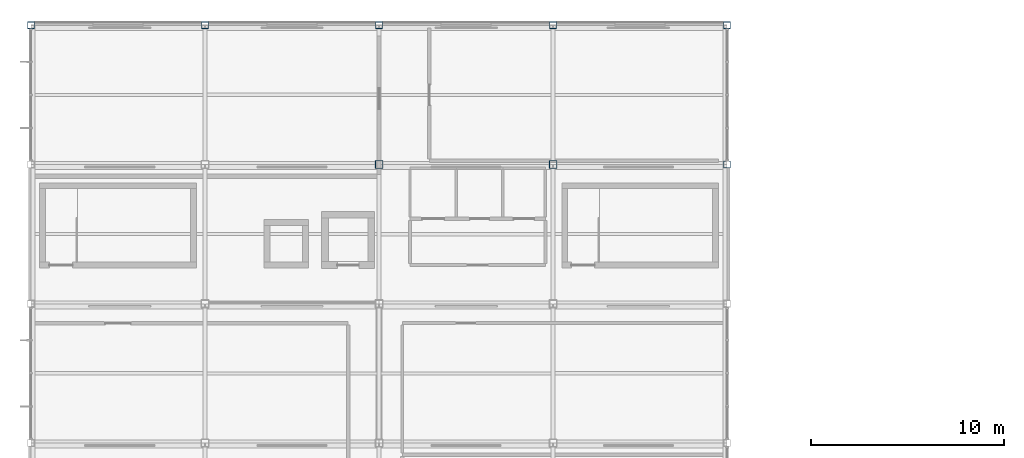
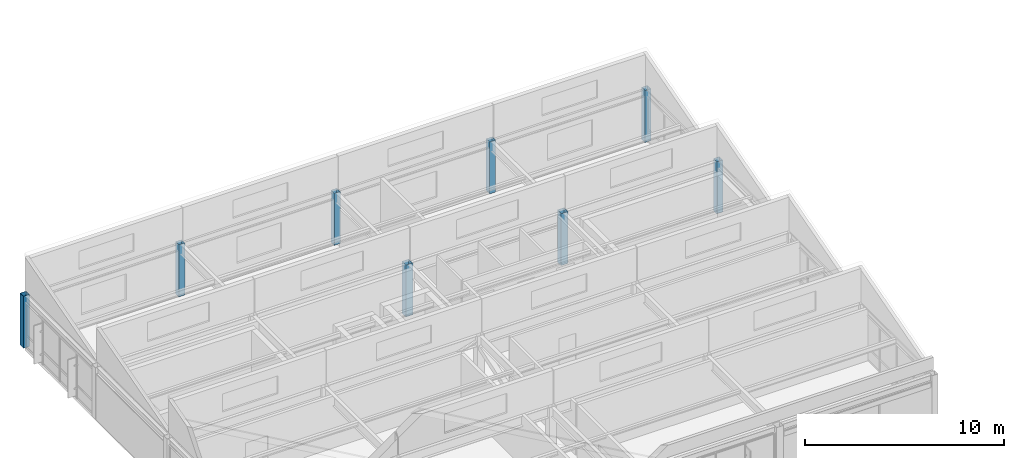
# One storey, part 2 of 43: 8 columns.
"""IFC4 building model written with IfcOpenShell, lengths in metres."""

from ifc_helpers import new_model, si_unit, direction, frame, origin, origin_2d, place, context, subcontext, project, spatial, hollow_rectangle, extrude, material, material_profile, profile_set, type_object, element, save


model = new_model("IFC4")

# Units and contexts
model_context = context("Model", 3, precision=1e-05, world=origin(), true_north=direction((0.0, 1.0)))
body_context = subcontext(model_context, "Body", "Model", "MODEL_VIEW")
ifc_project = project(units=[si_unit("LENGTHUNIT", "METRE"), si_unit("AREAUNIT", "SQUARE_METRE"), si_unit("VOLUMEUNIT", "CUBIC_METRE"), si_unit("PLANEANGLEUNIT", "RADIAN"), si_unit("MASSUNIT", "GRAM", prefix="KILO")], contexts=[model_context])

# Site, building, storey
site_placement = place(None, origin())
site = spatial("IfcSite", under=ifc_project, at=site_placement, CompositionType="ELEMENT")
building_placement = place(site_placement, origin())
building = spatial("IfcBuilding", under=site, at=building_placement, Name="Kazanami Central Library", CompositionType="ELEMENT")
storey_placement = place(building_placement, frame((0.0, 0.0, 20.60009765625)))
storey = spatial("IfcBuildingStorey", under=building, at=storey_placement, Name="L06", CompositionType="ELEMENT", Elevation=20.60009765625)

# Columns
ifc_material = material(Name="Steel BCP325 (325 MPa)", Category="steel")
ifc_material_profile_1 = material_profile(ifc_material, hollow_rectangle(XDim=0.35009765625, YDim=0.35009765625, WallThickness=0.011962890625, at=origin_2d()), Name="STKR-350x350x12")
ifc_profile_set_1 = profile_set([ifc_material_profile_1], Name="Steel BCP325 (325 MPa)")
column_type_1 = type_object("IfcColumnType", Name="COL-C-P4E", PredefinedType="COLUMN", material=ifc_profile_set_1)
for number, where, z_axis, x_axis, name in (
    (1, (0.0, 93.60009765625, 0.0), (0.0, 0.0, 1.0), (1.0, 0.0, 0.0), "Column C-P4E L06 1/O"),
    (2, (9.0, 93.60009765625, 0.0), (0.0, 0.0, 1.0), (1.0, 0.0, 0.0), "Column C-P4E L06 2/O"),
    (3, (18.0, 93.60009765625, 0.0), (0.0, 0.0, 1.0), (1.0, 0.0, 0.0), "Column C-P4E L06 3/O"),
    (4, (27.0, 93.60009765625, 0.0), (0.0, 0.0, 1.0), (1.0, 0.0, 0.0), "Column C-P4E L06 4/O"),
    (5, (36.0, 86.39990234375, 0.0), (0.0, 0.0, 1.0), (1.0, 0.0, 0.0), "Column C-P4E L06 5/N"),
    (6, (36.0, 93.60009765625, 0.0), (0.0, 0.0, 1.0), (1.0, 0.0, 0.0), "Column C-P4E L06 5/O"),
):
    element("IfcColumn", number, at=place(storey_placement, frame(where, z_axis=z_axis, x_axis=x_axis)), inside=storey, type_object=column_type_1, Name=name, PredefinedType="COLUMN", context=body_context, shape_type="SweptSolid", body=[
        extrude(hollow_rectangle(XDim=0.35009765625, YDim=0.35009765625, WallThickness=0.011962890625, at=origin_2d()), origin(), (0.0, 0.0, 1.0), 3.179931640625),
    ])
ifc_material_profile_2 = material_profile(ifc_material, hollow_rectangle(XDim=0.39990234375, YDim=0.39990234375, WallThickness=0.01611328125, at=origin_2d()), Name="BCP-400x400x16")
ifc_profile_set_2 = profile_set([ifc_material_profile_2], Name="Steel BCP325 (325 MPa)")
column_type_2 = type_object("IfcColumnType", Name="COL-C-P4I", PredefinedType="COLUMN", material=ifc_profile_set_2)
for number, where, z_axis, x_axis, name in (
    (7, (18.0, 86.39990234375, 0.0), (0.0, 0.0, 1.0), (1.0, 0.0, 0.0), "Column C-P4I L06 3/N"),
    (8, (27.0, 86.39990234375, 0.0), (0.0, 0.0, 1.0), (1.0, 0.0, 0.0), "Column C-P4I L06 4/N"),
):
    element("IfcColumn", number, at=place(storey_placement, frame(where, z_axis=z_axis, x_axis=x_axis)), inside=storey, type_object=column_type_2, Name=name, PredefinedType="COLUMN", context=body_context, shape_type="SweptSolid", body=[
        extrude(hollow_rectangle(XDim=0.39990234375, YDim=0.39990234375, WallThickness=0.01611328125, at=origin_2d()), origin(), (0.0, 0.0, 1.0), 3.179931640625),
    ])

save(model, "model.ifc")
